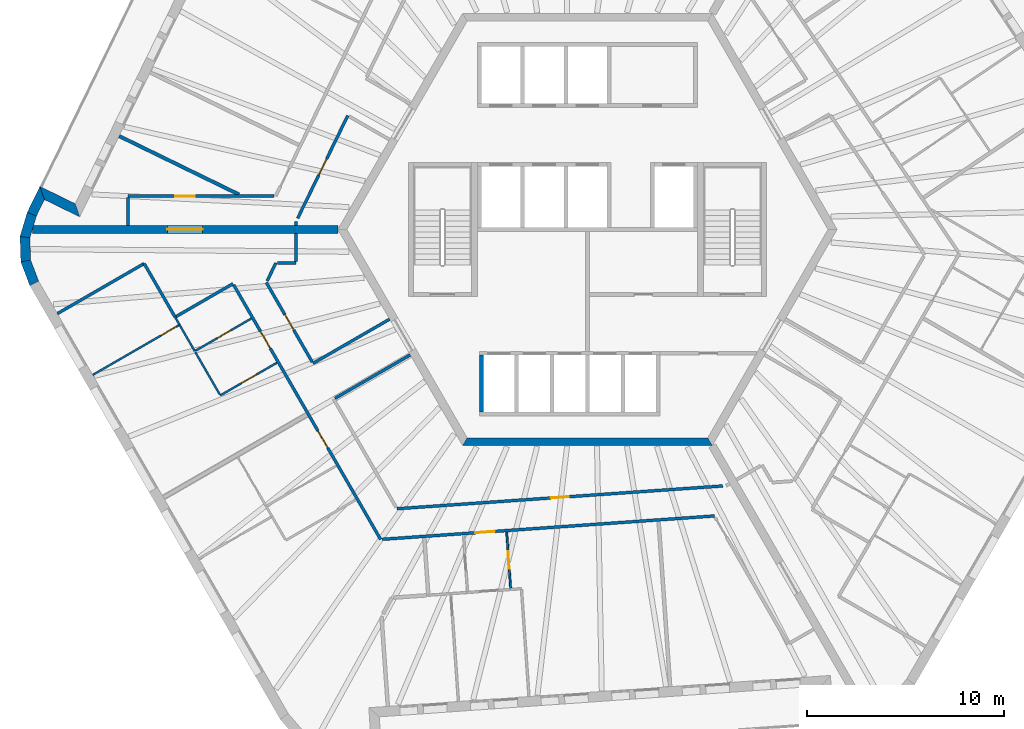
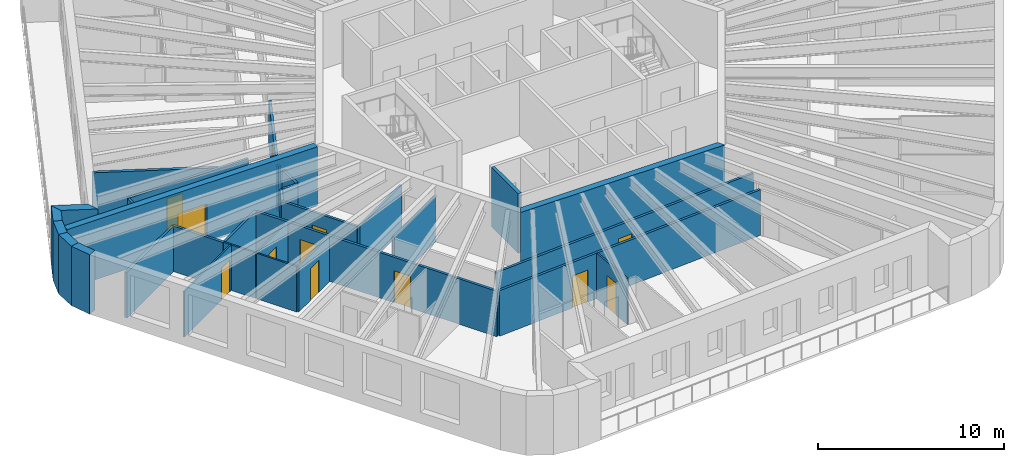
# One storey, part 4 of 12: 32 walls, 12 doors, 12 openings.
"""IFC4 building model written with IfcOpenShell, lengths in metres."""

import ifcopenshell
import ifcopenshell.guid

model = None  # the IFC model being written
_history = None  # IfcOwnerHistory: only IFC2X3 demands one
_inside = {}  # id of a spatial element -> (the spatial element, [elements in it])
_under = {}  # id of a project, library or spatial element -> (it, [spatial elements below it])
_declared = {}  # id of a project -> (the project, [libraries it declares])
_typed = {}  # id of a type object -> (the type object, [elements of that type])
_made_of = {}  # id of a material, layer set ... -> (it, [elements and type objects made of it])


def new_model(schema):
    """Start an empty IFC model of exactly this schema.

    Asked for "IFC4X3", IfcOpenShell would pick the latest addendum, in which some entities
    have other attributes; the version numbers below select the first issue.
    IFC2X3 requires an IfcOwnerHistory on every rooted entity: one is made here for all.
    """
    global model, _history
    if schema == "IFC4X3":
        model = ifcopenshell.file(schema_version=(4, 3, 0, 0))
    else:
        model = ifcopenshell.file(schema=schema)
    _inside.clear()
    _under.clear()
    _declared.clear()
    _typed.clear()
    _made_of.clear()
    _history = None
    if model.schema == "IFC2X3":
        org = make("IfcOrganization", Name="unknown")
        user = make(
            "IfcPersonAndOrganization",
            ThePerson=make("IfcPerson", FamilyName="unknown"),
            TheOrganization=org,
        )
        app = make(
            "IfcApplication",
            ApplicationDeveloper=org,
            Version="unknown",
            ApplicationFullName="unknown",
            ApplicationIdentifier="unknown",
        )
        _history = make(
            "IfcOwnerHistory",
            OwningUser=user,
            OwningApplication=app,
            ChangeAction="ADDED",
            CreationDate=0,
        )
    return model


def make(cls, **values):
    """One entity of the class cls with the attributes given. An attribute that is None is left unset."""
    return model.create_entity(
        cls, **{name: value for name, value in values.items() if value is not None}
    )


def rooted(cls, **values):
    """An entity with a GlobalId (a new one), such as an element, a storey or a relation."""
    return make(cls, GlobalId=ifcopenshell.guid.new(), OwnerHistory=_history, **values)


def si_unit(unit_type, name, prefix=None):
    """IfcSIUnit, for example si_unit("LENGTHUNIT", "METRE", prefix="MILLI")."""
    return make("IfcSIUnit", UnitType=unit_type, Prefix=prefix, Name=name)


def assignment(units):
    """IfcUnitAssignment: the units of a project."""
    return None if units is None else make("IfcUnitAssignment", Units=units)


def point(xyz):
    """IfcCartesianPoint."""
    return None if xyz is None else make("IfcCartesianPoint", Coordinates=xyz)


def direction(xyz):
    """IfcDirection."""
    return None if xyz is None else make("IfcDirection", DirectionRatios=xyz)


def frame(location, z_axis=None, x_axis=None):
    """IfcAxis2Placement3D, a coordinate frame: its origin and axes. An axis left out is left unset."""
    return make(
        "IfcAxis2Placement3D",
        Location=point(location),
        Axis=direction(z_axis),
        RefDirection=direction(x_axis),
    )


def frame_2d(location, x_axis=None):
    """IfcAxis2Placement2D, a coordinate frame in the plane: its origin and x axis."""
    return make(
        "IfcAxis2Placement2D", Location=point(location), RefDirection=direction(x_axis)
    )


def origin():
    """The frame at (0, 0, 0) with its axes left unset."""
    return frame((0.0, 0.0, 0.0))


def place(relative_to, where):
    """IfcLocalPlacement: puts the frame where relative to a parent placement (None: the world)."""
    return make(
        "IfcLocalPlacement", PlacementRelTo=relative_to, RelativePlacement=where
    )


def context(
    kind, dimensions, precision=None, world=None, true_north=None, identifier=None
):
    """IfcGeometricRepresentationContext, for example the 3D "Model" context."""
    return make(
        "IfcGeometricRepresentationContext",
        ContextIdentifier=identifier,
        ContextType=kind,
        CoordinateSpaceDimension=dimensions,
        Precision=precision,
        WorldCoordinateSystem=world,
        TrueNorth=true_north,
    )


def subcontext(parent, identifier, kind, view, scale=None):
    """IfcGeometricRepresentationSubContext, for example "Body" below "Model"."""
    return make(
        "IfcGeometricRepresentationSubContext",
        ContextIdentifier=identifier,
        ContextType=kind,
        ParentContext=parent,
        TargetScale=scale,
        TargetView=view,
    )


def project(units=None, contexts=None):
    """IfcProject with its units and contexts."""
    return rooted(
        "IfcProject",
        Name="project",
        RepresentationContexts=contexts,
        UnitsInContext=assignment(units),
    )


def spatial(cls, under=None, at=None, **own):
    """A site, building, storey or space (cls), placed at a placement, below another one or the project."""
    s = rooted(cls, ObjectPlacement=at, **own)
    if under is not None:
        _under.setdefault(under.id(), (under, []))[1].append(s)
    return s


def polyline(points):
    """IfcPolyline through the points."""
    return make("IfcPolyline", Points=[point(p) for p in points])


def profile(cls, at=None, kind="AREA", **sizes):
    """A parametric profile (cls). Its sizes go by their IFC names, for example OverallWidth=200.0."""
    return make(cls, ProfileType=kind, Position=at, **sizes)


def rectangle(**sizes):
    """IfcRectangleProfileDef."""
    return profile("IfcRectangleProfileDef", **sizes)


def outline(outer, holes=None, kind="AREA"):
    """IfcArbitraryClosedProfileDef: a profile drawn as a closed curve; with holes, ...WithVoids."""
    if holes is None:
        return make("IfcArbitraryClosedProfileDef", ProfileType=kind, OuterCurve=outer)
    return make(
        "IfcArbitraryProfileDefWithVoids",
        ProfileType=kind,
        OuterCurve=outer,
        InnerCurves=holes,
    )


def extrude(swept, where, along, depth):
    """IfcExtrudedAreaSolid: the profile swept, set in the frame where, extruded along a direction by depth."""
    return make(
        "IfcExtrudedAreaSolid",
        SweptArea=swept,
        Position=where,
        ExtrudedDirection=direction(along),
        Depth=depth,
    )


def shape(context_of_items, identifier, shape_type, items):
    """IfcShapeRepresentation: the items that make up one representation, for example the "Body"."""
    return make(
        "IfcShapeRepresentation",
        ContextOfItems=context_of_items,
        RepresentationIdentifier=identifier,
        RepresentationType=shape_type,
        Items=items,
    )


def material(Name=None, Category=None):
    """IfcMaterial."""
    return make("IfcMaterial", Name=Name, Category=Category)


def layer(
    of_material, thickness, ventilated=None, Name=None, Category=None, Priority=None
):
    """IfcMaterialLayer: one layer of a wall or slab, of a material (None: an air gap)."""
    return make(
        "IfcMaterialLayer",
        Material=of_material,
        LayerThickness=thickness,
        IsVentilated=ventilated,
        Name=Name,
        Category=Category,
        Priority=Priority,
    )


def layer_set(layers, Name=None):
    """IfcMaterialLayerSet."""
    return make("IfcMaterialLayerSet", MaterialLayers=layers, LayerSetName=Name)


def made_of(thing, what):
    """Note that an element or type object is made of a material, layer set ...; save() writes the relation."""
    if what is not None:
        _made_of.setdefault(what.id(), (what, []))[1].append(thing)
    return thing


def type_object(cls, material=None, **own):
    """A type object (cls), such as IfcWallType, which elements share."""
    return made_of(rooted(cls, **own), material)


def element(
    cls,
    number,
    at=None,
    inside=None,
    cuts=None,
    type_object=None,
    material=None,
    context=None,
    identifier="Body",
    shape_type=None,
    held_by="IfcProductDefinitionShape",
    body=None,
    shapes=None,
    **own,
):
    """One element of the class cls, such as IfcWall. Its Tag is "e" and its number.

    at: its placement. inside: the storey or other place that contains it. cuts: it is an
    opening in that element (IfcRelVoidsElement). A single representation is given by context,
    identifier, shape_type and body (its items); several are given by shapes. held_by: the class
    of the entity that holds the representations. save() writes the other relations.
    """
    e = rooted(cls, Tag="e%d" % number, ObjectPlacement=at, **own)
    if body is not None:
        shapes = [shape(context, identifier, shape_type, body)]
    if shapes is not None:
        e.Representation = make(held_by, Representations=shapes)
    if inside is not None:
        _inside.setdefault(inside.id(), (inside, []))[1].append(e)
    if cuts is not None:
        rooted(
            "IfcRelVoidsElement", RelatingBuildingElement=cuts, RelatedOpeningElement=e
        )
    if type_object is not None:
        _typed.setdefault(type_object.id(), (type_object, []))[1].append(e)
    return made_of(e, material)


def fill(opening, filler):
    """IfcRelFillsElement: the door or window that sits in an opening."""
    return rooted(
        "IfcRelFillsElement",
        RelatingOpeningElement=opening,
        RelatedBuildingElement=filler,
    )


def aggregate(whole, parts):
    """IfcRelAggregates: a whole, such as a stair, and the parts it consists of."""
    return rooted("IfcRelAggregates", RelatingObject=whole, RelatedObjects=parts)


def save(model, path):
    """Write the relations noted so far, then the file.

    IfcRelAggregates (storeys below a building ...), IfcRelContainedInSpatialStructure (elements
    in a storey), IfcRelDefinesByType, IfcRelAssociatesMaterial and IfcRelDeclares: one each for
    every whole, place, type object, material and project.
    """
    for whole, parts in _under.values():
        aggregate(whole, parts)
    for where, things in _inside.values():
        rooted(
            "IfcRelContainedInSpatialStructure",
            RelatedElements=things,
            RelatingStructure=where,
        )
    for kind, things in _typed.values():
        rooted("IfcRelDefinesByType", RelatedObjects=things, RelatingType=kind)
    for what, things in _made_of.values():
        rooted("IfcRelAssociatesMaterial", RelatedObjects=things, RelatingMaterial=what)
    for by, libraries in _declared.values():
        rooted("IfcRelDeclares", RelatingContext=by, RelatedDefinitions=libraries)
    model.write(path)


model = new_model("IFC4")

# Units and contexts
model_context = context("Model", 3, precision=1e-05, world=origin(), true_north=direction((0.0, 1.0)))
body_context = subcontext(model_context, "Body", "Model", "MODEL_VIEW")
ifc_project = project(units=[si_unit("LENGTHUNIT", "METRE"), si_unit("AREAUNIT", "SQUARE_METRE"), si_unit("VOLUMEUNIT", "CUBIC_METRE"), si_unit("PLANEANGLEUNIT", "RADIAN"), si_unit("MASSUNIT", "GRAM", prefix="KILO")], contexts=[model_context])

# Site, building, storey
site_placement = place(None, origin())
site = spatial("IfcSite", under=ifc_project, at=site_placement, CompositionType="ELEMENT")
building_placement = place(site_placement, origin())
building = spatial("IfcBuilding", under=site, at=building_placement, Name="Tarnside Tower", CompositionType="ELEMENT")
storey_placement = place(building_placement, frame((0.0, 0.0, 295.199951171875)))
storey = spatial("IfcBuildingStorey", under=building, at=storey_placement, Name="L71", CompositionType="ELEMENT", Elevation=295.199951171875)

# Wall
ifc_material_1 = material(Name="Gypsum board partition on steel studs", Category="steel")
ifc_layer_1 = layer(ifc_material_1, 0.10009765625)
ifc_layer_set_1 = layer_set([ifc_layer_1], Name="Bathroom wall 100")
wall_type_1 = type_object("IfcWallType", Name="Bathroom wall 100", PredefinedType="PARTITIONING", material=ifc_layer_set_1)
wall_1_placement = place(storey_placement, frame((-19.980224609375, -6.193115234375, 0.0), z_axis=(0.0, 0.0, 1.0), x_axis=(-0.500067724834, 0.865986299303, 0.0)))
element("IfcWall", 1, at=wall_1_placement, inside=storey, type_object=wall_type_1, Name="Bathroom wall 23114", PredefinedType="PARTITIONING", context=body_context, shape_type="SweptSolid", body=[
    extrude(rectangle(XDim=1.550537109375, YDim=0.10009765625, at=frame_2d((0.775390625, 0.0))), origin(), (0.0, 0.0, 1.0), 2.98779296875),
])

# Wall, opening, door
wall_2_placement = place(storey_placement, frame((-17.1005859375, -4.53076171875, 0.0), z_axis=(0.0, 0.0, 1.0), x_axis=(-0.866046559086, -0.499963356153, 0.0)))
wall_2 = element("IfcWall", 2, at=wall_2_placement, inside=storey, type_object=wall_type_1, Name="Bathroom wall 23118", PredefinedType="PARTITIONING", context=body_context, shape_type="SweptSolid", body=[
    extrude(rectangle(XDim=3.275146484375, YDim=0.10009765625, at=frame_2d((1.6376953125, 0.0))), origin(), (0.0, 0.0, 1.0), 2.98779296875),
])
opening_1_placement = place(wall_2_placement, frame((1.22509765625, 0.0, 0.0)))
opening_1 = element("IfcOpeningElement", 3, at=opening_1_placement, cuts=wall_2, Name="Opening D-B1", PredefinedType="OPENING", context=body_context, shape_type="SweptSolid", body=[
    extrude(rectangle(XDim=0.800048828125, YDim=2.10009765625, at=frame_2d((0.39990234375, 1.050048828125))), frame((0.0, 0.06005859375, 0.0), z_axis=(0.0, -1.0, 0.0), x_axis=(1.0, 0.0, 0.0)), (0.0, 0.0, 1.0), 0.1201171875),
])
ifc_material_2 = material(Name="Timber door leaf", Category="wood")
door_type_1 = type_object("IfcDoorType", Name="Bathroom door 800", OperationType="NOTDEFINED", PredefinedType="DOOR", material=ifc_material_2)
door_1_placement = place(opening_1_placement, origin())
door_1 = element("IfcDoor", 4, at=door_1_placement, inside=storey, type_object=door_type_1, Name="Bathroom door 23023", OperationType="SINGLE_SWING_RIGHT", OverallHeight=2.10009765625, OverallWidth=0.800048828125, PredefinedType="DOOR", context=body_context, shape_type="SweptSolid", body=[
    extrude(rectangle(XDim=0.800048828125, YDim=2.10009765625, at=frame_2d((0.39990234375, 1.050048828125))), frame((0.0, 0.02490234375, 0.0), z_axis=(0.0, -1.0, 0.0), x_axis=(1.0, 0.0, 0.0)), (0.0, 0.0, 1.0), 0.050048828125),
])
fill(opening_1, door_1)

# Walls
wall_3_placement = place(storey_placement, frame((-20.981201171875, -4.45947265625, 0.0), z_axis=(0.0, 0.0, 1.0), x_axis=(0.499846793097, -0.866113839764, 0.0)))
element("IfcWall", 5, at=wall_3_placement, inside=storey, type_object=wall_type_1, Name="Bathroom wall 23119", PredefinedType="PARTITIONING", context=body_context, shape_type="SweptSolid", body=[
    extrude(rectangle(XDim=0.453369140625, YDim=0.10009765625, at=frame_2d((0.2265625, 0.0))), origin(), (0.0, 0.0, 1.0), 2.98779296875),
])
ifc_material_3 = material(Name="Concrete C60/75", Category="concrete")
ifc_layer_2 = layer(ifc_material_3, 0.39990234375)
ifc_layer_set_2 = layer_set([ifc_layer_2], Name="Core wall Z3 400 C60/75")
wall_type_2 = type_object("IfcWallType", Name="Core wall Z3 400 C60/75", PredefinedType="SHEAR", material=ifc_layer_set_2)
wall_4_placement = place(storey_placement, frame((-6.2353515625, -10.800048828125, -0.14990234375), z_axis=(0.0, 0.0, 1.0), x_axis=(1.0, 0.0, 0.0)))
element("IfcWall", 6, at=wall_4_placement, inside=storey, type_object=wall_type_2, Name="L71 core wall face 4", PredefinedType="SHEAR", context=body_context, shape_type="SweptSolid", body=[
    extrude(outline(polyline([(-0.115478515625, -0.199951171875), (12.586181640625, -0.199951171875), (12.355224609375, 0.199951171875), (0.115478515625, 0.199951171875), (-0.115478515625, -0.199951171875)])), origin(), (0.0, 0.0, 1.0), 3.89990234375),
])

# Wall, opening, door
wall_5_placement = place(storey_placement, frame((-12.70166015625, 0.0, -0.14990234375), z_axis=(0.0, 0.0, 1.0), x_axis=(-1.0, 0.0, 0.0)))
wall_5 = element("IfcWall", 7, at=wall_5_placement, inside=storey, type_object=wall_type_2, Name="L71 spine wall 2", PredefinedType="SHEAR", context=body_context, shape_type="SweptSolid", body=[
    extrude(rectangle(XDim=15.54443359375, YDim=0.39990234375, at=frame_2d((7.772216796875, 0.0))), origin(), (0.0, 0.0, 1.0), 3.89990234375),
])
opening_2_placement = place(wall_5_placement, frame((6.872314453125, 0.0, 0.14990234375)))
opening_2 = element("IfcOpeningElement", 8, at=opening_2_placement, cuts=wall_5, Name="Opening CD-SPN", PredefinedType="OPENING", context=body_context, shape_type="SweptSolid", body=[
    extrude(rectangle(XDim=1.800048828125, YDim=2.39990234375, at=frame_2d((0.89990234375, 1.199951171875))), frame((0.0, 0.2099609375, 0.0), z_axis=(0.0, -1.0, 0.0), x_axis=(1.0, 0.0, 0.0)), (0.0, 0.0, 1.0), 0.419921875),
])
ifc_material_4 = material(Name="Steel fire door", Category="steel")
door_type_2 = type_object("IfcDoorType", Name="Spine passage double door FD60 1800x2400", OperationType="NOTDEFINED", PredefinedType="DOOR", material=ifc_material_4)
door_2_placement = place(opening_2_placement, origin())
door_2 = element("IfcDoor", 9, at=door_2_placement, inside=storey, type_object=door_type_2, Name="L71 spine passage door 2", OperationType="DOUBLE_DOOR_SINGLE_SWING", OverallHeight=2.39990234375, OverallWidth=1.800048828125, PredefinedType="DOOR", context=body_context, shape_type="SweptSolid", body=[
    extrude(rectangle(XDim=1.800048828125, YDim=2.39990234375, at=frame_2d((0.89990234375, 1.199951171875))), frame((0.0, 0.02490234375, 0.0), z_axis=(0.0, -1.0, 0.0), x_axis=(1.0, 0.0, 0.0)), (0.0, 0.0, 1.0), 0.050048828125),
])
fill(opening_2, door_2)

ifc_layer_3 = layer(ifc_material_1, 0.14990234375)
ifc_layer_set_3 = layer_set([ifc_layer_3], Name="Corridor wall 150 EI 60")
wall_type_3 = type_object("IfcWallType", Name="Corridor wall 150 EI 60", PredefinedType="PARTITIONING", material=ifc_layer_set_3)
wall_6_placement = place(storey_placement, frame((-15.943359375, 1.699951171875, 0.0), z_axis=(0.0, 0.0, 1.0), x_axis=(-1.0, 0.0, 0.0)))
wall_6 = element("IfcWall", 10, at=wall_6_placement, inside=storey, type_object=wall_type_3, Name="Corridor wall 23016", PredefinedType="PARTITIONING", context=body_context, shape_type="SweptSolid", body=[
    extrude(rectangle(XDim=7.4306640625, YDim=0.14990234375, at=frame_2d((3.71533203125, 0.0))), origin(), (0.0, 0.0, 1.0), 2.98779296875),
])
opening_3_placement = place(wall_6_placement, frame((4.02978515625, 0.0, 0.0)))
opening_3 = element("IfcOpeningElement", 11, at=opening_3_placement, cuts=wall_6, Name="Opening D-E1", PredefinedType="OPENING", context=body_context, shape_type="SweptSolid", body=[
    extrude(rectangle(XDim=1.0, YDim=2.10009765625, at=frame_2d((0.5, 1.050048828125))), frame((0.0, 0.0849609375, 0.0), z_axis=(0.0, -1.0, 0.0), x_axis=(1.0, 0.0, 0.0)), (0.0, 0.0, 1.0), 0.169921875),
])
door_type_3 = type_object("IfcDoorType", Name="Unit entrance door 1000 FD30S", OperationType="NOTDEFINED", PredefinedType="DOOR", material=ifc_material_2)
door_3_placement = place(opening_3_placement, origin())
door_3 = element("IfcDoor", 12, at=door_3_placement, inside=storey, type_object=door_type_3, Name="Unit door 23021", OperationType="SINGLE_SWING_LEFT", OverallHeight=2.10009765625, OverallWidth=1.0, PredefinedType="DOOR", context=body_context, shape_type="SweptSolid", body=[
    extrude(rectangle(XDim=1.0, YDim=2.10009765625, at=frame_2d((0.5, 1.050048828125))), frame((0.0, 0.02490234375, 0.0), z_axis=(0.0, -1.0, 0.0), x_axis=(1.0, 0.0, 0.0)), (0.0, 0.0, 1.0), 0.050048828125),
])
fill(opening_3, door_3)

# Walls
wall_7_placement = place(storey_placement, frame((-23.3740234375, 1.625, 0.0), z_axis=(0.0, 0.0, 1.0), x_axis=(0.0, -1.0, 0.0)))
element("IfcWall", 13, at=wall_7_placement, inside=storey, type_object=wall_type_3, Name="Corridor wall 23018", PredefinedType="PARTITIONING", context=body_context, shape_type="SweptSolid", body=[
    extrude(rectangle(XDim=1.425048828125, YDim=0.14990234375, at=frame_2d((0.71240234375, 0.0))), origin(), (0.0, 0.0, 1.0), 2.98779296875),
])
wall_8_placement = place(storey_placement, frame((-14.820068359375, 0.199951171875, 0.0), z_axis=(0.0, 0.0, 1.0), x_axis=(0.0, 1.0, 0.0)))
element("IfcWall", 14, at=wall_8_placement, inside=storey, type_object=wall_type_3, Name="Corridor wall 23025", PredefinedType="PARTITIONING", context=body_context, shape_type="SweptSolid", body=[
    extrude(rectangle(XDim=0.210205078125, YDim=0.14990234375, at=frame_2d((0.10498046875, 0.0))), origin(), (0.0, 0.0, 1.0), 2.98779296875),
])

# Wall, opening, door
wall_9_placement = place(storey_placement, frame((-14.7451171875, 0.563720703125, 0.0), z_axis=(0.0, 0.0, 1.0), x_axis=(0.438348416625, 0.898805132185, 0.0)))
wall_9 = element("IfcWall", 15, at=wall_9_placement, inside=storey, type_object=wall_type_3, Name="Corridor wall 23026", PredefinedType="PARTITIONING", context=body_context, shape_type="SweptSolid", body=[
    extrude(rectangle(XDim=5.819580078125, YDim=0.14990234375, at=frame_2d((2.90966796875, 0.0))), origin(), (0.0, 0.0, 1.0), 2.98779296875),
])
opening_4_placement = place(wall_9_placement, frame((2.459716796875, 0.0, 0.0)))
opening_4 = element("IfcOpeningElement", 16, at=opening_4_placement, cuts=wall_9, Name="Opening D-S1", PredefinedType="OPENING", context=body_context, shape_type="SweptSolid", body=[
    extrude(rectangle(XDim=0.89990234375, YDim=2.10009765625, at=frame_2d((0.449951171875, 1.050048828125))), frame((0.0, 0.0849609375, 0.0), z_axis=(0.0, -1.0, 0.0), x_axis=(1.0, 0.0, 0.0)), (0.0, 0.0, 1.0), 0.169921875),
])
door_type_4 = type_object("IfcDoorType", Name="Service room door 900 FD30S", OperationType="NOTDEFINED", PredefinedType="DOOR", material=ifc_material_2)
door_4_placement = place(opening_4_placement, origin())
door_4 = element("IfcDoor", 17, at=door_4_placement, inside=storey, type_object=door_type_4, Name="Service door 23059", OperationType="SINGLE_SWING_RIGHT", OverallHeight=2.10009765625, OverallWidth=0.89990234375, PredefinedType="DOOR", context=body_context, shape_type="SweptSolid", body=[
    extrude(rectangle(XDim=0.89990234375, YDim=2.10009765625, at=frame_2d((0.449951171875, 1.050048828125))), frame((0.0, 0.02490234375, 0.0), z_axis=(0.0, -1.0, 0.0), x_axis=(1.0, 0.0, 0.0)), (0.0, 0.0, 1.0), 0.050048828125),
])
fill(opening_4, door_4)

# Wall, openings, doors
wall_10_placement = place(storey_placement, frame((-17.998291015625, -2.826171875, 0.0), z_axis=(0.0, 0.0, 1.0), x_axis=(0.500003306199, -0.866023494941, 0.0)))
wall_10 = element("IfcWall", 18, at=wall_10_placement, inside=storey, type_object=wall_type_3, Name="Corridor wall 23028", PredefinedType="PARTITIONING", context=body_context, shape_type="SweptSolid", body=[
    extrude(rectangle(XDim=14.94921875, YDim=0.14990234375, at=frame_2d((7.474609375, 0.0))), origin(), (0.0, 0.0, 1.0), 2.98779296875),
])
opening_5_placement = place(wall_10_placement, frame((2.72509765625, 0.0, 0.0)))
opening_5 = element("IfcOpeningElement", 19, at=opening_5_placement, cuts=wall_10, Name="Opening D-E1", PredefinedType="OPENING", context=body_context, shape_type="SweptSolid", body=[
    extrude(rectangle(XDim=1.0, YDim=2.10009765625, at=frame_2d((0.5, 1.050048828125))), frame((0.0, 0.0849609375, 0.0), z_axis=(0.0, -1.0, 0.0), x_axis=(1.0, 0.0, 0.0)), (0.0, 0.0, 1.0), 0.169921875),
])
opening_6_placement = place(wall_10_placement, frame((8.576416015625, 0.0, 0.0)))
opening_6 = element("IfcOpeningElement", 20, at=opening_6_placement, cuts=wall_10, Name="Opening D-E1", PredefinedType="OPENING", context=body_context, shape_type="SweptSolid", body=[
    extrude(rectangle(XDim=1.0, YDim=2.10009765625, at=frame_2d((0.5, 1.050048828125))), frame((0.0, 0.0849609375, 0.0), z_axis=(0.0, -1.0, 0.0), x_axis=(1.0, 0.0, 0.0)), (0.0, 0.0, 1.0), 0.169921875),
])
door_5_placement = place(opening_5_placement, origin())
door_5 = element("IfcDoor", 21, at=door_5_placement, inside=storey, type_object=door_type_3, Name="Unit door 23022", OperationType="SINGLE_SWING_RIGHT", OverallHeight=2.10009765625, OverallWidth=1.0, PredefinedType="DOOR", context=body_context, shape_type="SweptSolid", body=[
    extrude(rectangle(XDim=1.0, YDim=2.10009765625, at=frame_2d((0.5, 1.050048828125))), frame((0.0, 0.02490234375, 0.0), z_axis=(0.0, -1.0, 0.0), x_axis=(1.0, 0.0, 0.0)), (0.0, 0.0, 1.0), 0.050048828125),
])
fill(opening_5, door_5)
door_6_placement = place(opening_6_placement, origin())
door_6 = element("IfcDoor", 22, at=door_6_placement, inside=storey, type_object=door_type_3, Name="Unit door 23026", OperationType="SINGLE_SWING_RIGHT", OverallHeight=2.10009765625, OverallWidth=1.0, PredefinedType="DOOR", context=body_context, shape_type="SweptSolid", body=[
    extrude(rectangle(XDim=1.0, YDim=2.10009765625, at=frame_2d((0.5, 1.050048828125))), frame((0.0, 0.02490234375, 0.0), z_axis=(0.0, -1.0, 0.0), x_axis=(1.0, 0.0, 0.0)), (0.0, 0.0, 1.0), 0.050048828125),
])
fill(opening_6, door_6)

# Walls
wall_11_placement = place(storey_placement, frame((-20.980224609375, -4.461181640625, 0.0), z_axis=(0.0, 0.0, 1.0), x_axis=(0.866038511948, 0.499977295307, 0.0)))
element("IfcWall", 23, at=wall_11_placement, inside=storey, type_object=wall_type_3, Name="Corridor wall 23030", PredefinedType="PARTITIONING", context=body_context, shape_type="SweptSolid", body=[
    extrude(rectangle(XDim=3.400146484375, YDim=0.14990234375, at=frame_2d((1.7001953125, 0.0))), origin(), (0.0, 0.0, 1.0), 2.98779296875),
])
wall_12_placement = place(storey_placement, frame((-26.97119140625, -4.284423828125, 0.0), z_axis=(0.0, 0.0, 1.0), x_axis=(0.866024511559, 0.500001545377, 0.0)))
element("IfcWall", 24, at=wall_12_placement, inside=storey, type_object=wall_type_3, Name="Corridor wall 23032", PredefinedType="PARTITIONING", context=body_context, shape_type="SweptSolid", body=[
    extrude(rectangle(XDim=5.0986328125, YDim=0.14990234375, at=frame_2d((2.54931640625, 0.0))), origin(), (0.0, 0.0, 1.0), 2.98779296875),
])
wall_13_placement = place(storey_placement, frame((-22.553955078125, -1.735595703125, 0.0), z_axis=(0.0, 0.0, 1.0), x_axis=(0.50003099832, -0.866007506156, 0.0)))
element("IfcWall", 25, at=wall_13_placement, inside=storey, type_object=wall_type_3, Name="Corridor wall 23033", PredefinedType="PARTITIONING", context=body_context, shape_type="SweptSolid", body=[
    extrude(rectangle(XDim=3.150634765625, YDim=0.14990234375, at=frame_2d((1.5751953125, 0.0))), origin(), (0.0, 0.0, 1.0), 2.98779296875),
])

# Wall, opening, door
wall_14_placement = place(storey_placement, frame((-10.4404296875, -15.7666015625, 0.0), z_axis=(0.0, 0.0, 1.0), x_axis=(0.997534721961, 0.070174628483, 0.0)))
wall_14 = element("IfcWall", 26, at=wall_14_placement, inside=storey, type_object=wall_type_3, Name="Corridor wall 23035", PredefinedType="PARTITIONING", context=body_context, shape_type="SweptSolid", body=[
    extrude(rectangle(XDim=16.939453125, YDim=0.14990234375, at=frame_2d((8.4697265625, 0.0))), origin(), (0.0, 0.0, 1.0), 2.98779296875),
])
opening_7_placement = place(wall_14_placement, frame((4.74169921875, 0.0, 0.0)))
opening_7 = element("IfcOpeningElement", 27, at=opening_7_placement, cuts=wall_14, Name="Opening D-E1", PredefinedType="OPENING", context=body_context, shape_type="SweptSolid", body=[
    extrude(rectangle(XDim=1.0, YDim=2.10009765625, at=frame_2d((0.5, 1.050048828125))), frame((0.0, 0.0849609375, 0.0), z_axis=(0.0, -1.0, 0.0), x_axis=(1.0, 0.0, 0.0)), (0.0, 0.0, 1.0), 0.169921875),
])
door_7_placement = place(opening_7_placement, origin())
door_7 = element("IfcDoor", 28, at=door_7_placement, inside=storey, type_object=door_type_3, Name="Unit door 23031", OperationType="SINGLE_SWING_LEFT", OverallHeight=2.10009765625, OverallWidth=1.0, PredefinedType="DOOR", context=body_context, shape_type="SweptSolid", body=[
    extrude(rectangle(XDim=1.0, YDim=2.10009765625, at=frame_2d((0.5, 1.050048828125))), frame((0.0, 0.02490234375, 0.0), z_axis=(0.0, -1.0, 0.0), x_axis=(1.0, 0.0, 0.0)), (0.0, 0.0, 1.0), 0.050048828125),
])
fill(opening_7, door_7)

# Wall
wall_15_placement = place(storey_placement, frame((-10.065673828125, -4.565673828125, 0.0), z_axis=(0.0, 0.0, 1.0), x_axis=(-0.866031096941, -0.499990139034, 0.0)))
element("IfcWall", 29, at=wall_15_placement, inside=storey, type_object=wall_type_3, Name="Corridor wall 23044", PredefinedType="PARTITIONING", context=body_context, shape_type="SweptSolid", body=[
    extrude(rectangle(XDim=4.5, YDim=0.14990234375, at=frame_2d((2.25, 0.0))), origin(), (0.0, 0.0, 1.0), 2.98779296875),
])

# Wall, opening, door
wall_16_placement = place(storey_placement, frame((-14.000244140625, -6.750732421875, 0.0), z_axis=(0.0, 0.0, 1.0), x_axis=(-0.500008739126, 0.866020358189, 0.0)))
wall_16 = element("IfcWall", 30, at=wall_16_placement, inside=storey, type_object=wall_type_3, Name="Corridor wall 23045", PredefinedType="PARTITIONING", context=body_context, shape_type="SweptSolid", body=[
    extrude(rectangle(XDim=4.67529296875, YDim=0.14990234375, at=frame_2d((2.337646484375, 0.0))), origin(), (0.0, 0.0, 1.0), 2.98779296875),
])
opening_8_placement = place(wall_16_placement, frame((1.8876953125, 0.0, 0.0)))
opening_8 = element("IfcOpeningElement", 31, at=opening_8_placement, cuts=wall_16, Name="Opening D-S1", PredefinedType="OPENING", context=body_context, shape_type="SweptSolid", body=[
    extrude(rectangle(XDim=0.89990234375, YDim=2.10009765625, at=frame_2d((0.449951171875, 1.050048828125))), frame((0.0, 0.0849609375, 0.0), z_axis=(0.0, -1.0, 0.0), x_axis=(1.0, 0.0, 0.0)), (0.0, 0.0, 1.0), 0.169921875),
])
door_8_placement = place(opening_8_placement, origin())
door_8 = element("IfcDoor", 32, at=door_8_placement, inside=storey, type_object=door_type_4, Name="Service door 23060", OperationType="SINGLE_SWING_RIGHT", OverallHeight=2.10009765625, OverallWidth=0.89990234375, PredefinedType="DOOR", context=body_context, shape_type="SweptSolid", body=[
    extrude(rectangle(XDim=0.89990234375, YDim=2.10009765625, at=frame_2d((0.449951171875, 1.050048828125))), frame((0.0, 0.02490234375, 0.0), z_axis=(0.0, -1.0, 0.0), x_axis=(1.0, 0.0, 0.0)), (0.0, 0.0, 1.0), 0.050048828125),
])
fill(opening_8, door_8)

# Walls
wall_17_placement = place(storey_placement, frame((-16.29833984375, -2.62060546875, 0.0), z_axis=(0.0, 0.0, 1.0), x_axis=(0.438325013788, 0.898816545402, 0.0)))
element("IfcWall", 33, at=wall_17_placement, inside=storey, type_object=wall_type_3, Name="Corridor wall 23046", PredefinedType="PARTITIONING", context=body_context, shape_type="SweptSolid", body=[
    extrude(rectangle(XDim=1.0244140625, YDim=0.14990234375, at=frame_2d((0.51220703125, 0.0))), origin(), (0.0, 0.0, 1.0), 2.98779296875),
])
wall_18_placement = place(storey_placement, frame((-15.765869140625, -1.699951171875, 0.0), z_axis=(0.0, 0.0, 1.0), x_axis=(1.0, 0.0, 0.0)))
element("IfcWall", 34, at=wall_18_placement, inside=storey, type_object=wall_type_3, Name="Corridor wall 23047", PredefinedType="PARTITIONING", context=body_context, shape_type="SweptSolid", body=[
    extrude(rectangle(XDim=0.94580078125, YDim=0.14990234375, at=frame_2d((0.472900390625, 0.0))), origin(), (0.0, 0.0, 1.0), 2.98779296875),
])
wall_19_placement = place(storey_placement, frame((-14.820068359375, -1.625, 0.0), z_axis=(0.0, 0.0, 1.0), x_axis=(0.0, 1.0, 0.0)))
element("IfcWall", 35, at=wall_19_placement, inside=storey, type_object=wall_type_3, Name="Corridor wall 23048", PredefinedType="PARTITIONING", context=body_context, shape_type="SweptSolid", body=[
    extrude(rectangle(XDim=1.425048828125, YDim=0.14990234375, at=frame_2d((0.71240234375, 0.0))), origin(), (0.0, 0.0, 1.0), 2.98779296875),
])

# Wall, opening, door
wall_20_placement = place(storey_placement, frame((6.88427734375, -13.051513671875, 0.0), z_axis=(0.0, 0.0, 1.0), x_axis=(-0.997564224443, -0.069753982764, 0.0)))
wall_20 = element("IfcWall", 36, at=wall_20_placement, inside=storey, type_object=wall_type_3, Name="Corridor wall 23050", PredefinedType="PARTITIONING", context=body_context, shape_type="SweptSolid", body=[
    extrude(rectangle(XDim=16.6181640625, YDim=0.14990234375, at=frame_2d((8.30908203125, 0.0))), origin(), (0.0, 0.0, 1.0), 2.98779296875),
])
opening_9_placement = place(wall_20_placement, frame((7.85888671875, 0.0, 0.0)))
opening_9 = element("IfcOpeningElement", 37, at=opening_9_placement, cuts=wall_20, Name="Opening D-S1", PredefinedType="OPENING", context=body_context, shape_type="SweptSolid", body=[
    extrude(rectangle(XDim=0.89990234375, YDim=2.10009765625, at=frame_2d((0.449951171875, 1.050048828125))), frame((0.0, 0.0849609375, 0.0), z_axis=(0.0, -1.0, 0.0), x_axis=(1.0, 0.0, 0.0)), (0.0, 0.0, 1.0), 0.169921875),
])
door_9_placement = place(opening_9_placement, origin())
door_9 = element("IfcDoor", 38, at=door_9_placement, inside=storey, type_object=door_type_4, Name="Service door 23061", OperationType="SINGLE_SWING_RIGHT", OverallHeight=2.10009765625, OverallWidth=0.89990234375, PredefinedType="DOOR", context=body_context, shape_type="SweptSolid", body=[
    extrude(rectangle(XDim=0.89990234375, YDim=2.10009765625, at=frame_2d((0.449951171875, 1.050048828125))), frame((0.0, 0.02490234375, 0.0), z_axis=(0.0, -1.0, 0.0), x_axis=(1.0, 0.0, 0.0)), (0.0, 0.0, 1.0), 0.050048828125),
])
fill(opening_9, door_9)

# Walls
wall_21_placement = place(storey_placement, frame((-12.847900390625, -8.596923828125, 0.0), z_axis=(0.0, 0.0, 1.0), x_axis=(0.866017452598, 0.500013771606, 0.0)))
element("IfcWall", 39, at=wall_21_placement, inside=storey, type_object=wall_type_3, Name="Corridor wall 23052", PredefinedType="PARTITIONING", context=body_context, shape_type="SweptSolid", body=[
    extrude(rectangle(XDim=4.42529296875, YDim=0.14990234375, at=frame_2d((2.212646484375, 0.0))), origin(), (0.0, 0.0, 1.0), 2.98779296875),
])
ifc_layer_4 = layer(ifc_material_1, 0.179931640625)
ifc_layer_set_4 = layer_set([ifc_layer_4], Name="Demising wall 180 EI 60")
wall_type_4 = type_object("IfcWallType", Name="Demising wall 180 EI 60", PredefinedType="PARTITIONING", material=ifc_layer_set_4)
wall_22_placement = place(storey_placement, frame((-23.82861328125, 4.75146484375, 0.0), z_axis=(0.0, 0.0, 1.0), x_axis=(0.898785032636, -0.438389627056, 0.0)))
element("IfcWall", 40, at=wall_22_placement, inside=storey, type_object=wall_type_4, Name="Demising wall 23111", PredefinedType="PARTITIONING", context=body_context, shape_type="SweptSolid", body=[
    extrude(rectangle(XDim=6.789794921875, YDim=0.179931640625, at=frame_2d((3.39501953125, 0.0))), origin(), (0.0, 0.0, 1.0), 2.98779296875),
])
ifc_material_5 = material(Name="Concrete C40/50", Category="concrete")
ifc_layer_5 = layer(ifc_material_5, 0.199951171875)
ifc_layer_set_5 = layer_set([ifc_layer_5], Name="Lift shaft wall 200 C40/50")
wall_type_5 = type_object("IfcWallType", Name="Lift shaft wall 200 C40/50", PredefinedType="SHEAR", material=ifc_layer_set_5)
wall_23_placement = place(storey_placement, frame((-5.39990234375, -9.300048828125, -0.25), z_axis=(0.0, 0.0, 1.0), x_axis=(0.0, 1.0, 0.0)))
element("IfcWall", 41, at=wall_23_placement, inside=storey, type_object=wall_type_5, Name="L71 lift shaft partition R41", PredefinedType="SHEAR", context=body_context, shape_type="SweptSolid", body=[
    extrude(rectangle(XDim=2.900146484375, YDim=0.199951171875, at=frame_2d((1.4501953125, 0.0))), origin(), (0.0, 0.0, 1.0), 3.900146484375),
])
ifc_material_6 = material(Name="Dark zinc cladding")
ifc_layer_6 = layer(ifc_material_6, 0.10205078125)
ifc_material_7 = material(Name="Concrete C60/75 precast", Category="concrete")
ifc_layer_7 = layer(ifc_material_7, 0.298095703125)
ifc_material_8 = material(Name="Mineral wool insulation")
ifc_layer_8 = layer(ifc_material_8, 0.10009765625)
ifc_layer_set_6 = layer_set([ifc_layer_6, ifc_layer_7, ifc_layer_8], Name="Loggia wall 500 zinc faced")
wall_type_6 = type_object("IfcWallType", Name="Loggia wall 500 zinc faced", PredefinedType="SOLIDWALL", material=ifc_layer_set_6)
wall_24_placement = place(storey_placement, frame((-25.9482421875, 0.97607421875, -0.14990234375), z_axis=(0.0, 0.0, 1.0), x_axis=(-0.898802465371, 0.438353884714, 0.0)))
element("IfcWall", 42, at=wall_24_placement, inside=storey, type_object=wall_type_6, Name="Tube wall L71 F2 return 07", PredefinedType="SOLIDWALL", context=body_context, shape_type="SweptSolid", body=[
    extrude(outline(polyline([(0.25, -0.25), (2.25, -0.25), (1.75, 0.25), (-0.25, 0.25), (0.25, -0.25)])), origin(), (0.0, 0.0, 1.0), 3.89990234375),
])
wall_25_placement = place(storey_placement, frame((-27.745849609375, 1.852783203125, -0.14990234375), z_axis=(0.0, 0.0, 1.0), x_axis=(-0.438319390103, -0.898819287877, 0.0)))
element("IfcWall", 43, at=wall_25_placement, inside=storey, type_object=wall_type_6, Name="Tube wall L71 F2 stub 08", PredefinedType="SOLIDWALL", context=body_context, shape_type="SweptSolid", body=[
    extrude(outline(polyline([(-0.25, -0.25), (1.22021484375, -0.25), (1.17919921875, 0.25), (0.25, 0.25), (-0.25, -0.25)])), origin(), (0.0, 0.0, 1.0), 3.89990234375),
])

# Wall, opening, door
ifc_layer_9 = layer(ifc_material_1, 0.10009765625)
ifc_layer_set_7 = layer_set([ifc_layer_9], Name="Partition 100")
wall_type_7 = type_object("IfcWallType", Name="Partition 100", PredefinedType="PARTITIONING", material=ifc_layer_set_7)
wall_26_placement = place(storey_placement, frame((-15.80078125, -6.782470703125, 0.0), z_axis=(0.0, 0.0, 1.0), x_axis=(-0.866033959199, -0.499985181294, 0.0)))
wall_26 = element("IfcWall", 44, at=wall_26_placement, inside=storey, type_object=wall_type_7, Name="Partition wall 23112", PredefinedType="PARTITIONING", context=body_context, shape_type="SweptSolid", body=[
    extrude(rectangle(XDim=3.32470703125, YDim=0.10009765625, at=frame_2d((1.662353515625, 0.0))), origin(), (0.0, 0.0, 1.0), 2.98779296875),
])
opening_10_placement = place(wall_26_placement, frame((1.175048828125, 0.0, 0.0)))
opening_10 = element("IfcOpeningElement", 45, at=opening_10_placement, cuts=wall_26, Name="Opening D-I1", PredefinedType="OPENING", context=body_context, shape_type="SweptSolid", body=[
    extrude(rectangle(XDim=0.89990234375, YDim=2.10009765625, at=frame_2d((0.449951171875, 1.050048828125))), frame((0.0, 0.06005859375, 0.0), z_axis=(0.0, -1.0, 0.0), x_axis=(1.0, 0.0, 0.0)), (0.0, 0.0, 1.0), 0.1201171875),
])
door_type_5 = type_object("IfcDoorType", Name="Internal door 900", OperationType="NOTDEFINED", PredefinedType="DOOR", material=ifc_material_2)
door_10_placement = place(opening_10_placement, origin())
door_10 = element("IfcDoor", 46, at=door_10_placement, inside=storey, type_object=door_type_5, Name="Internal door 23024", OperationType="SINGLE_SWING_RIGHT", OverallHeight=2.10009765625, OverallWidth=0.89990234375, PredefinedType="DOOR", context=body_context, shape_type="SweptSolid", body=[
    extrude(rectangle(XDim=0.89990234375, YDim=2.10009765625, at=frame_2d((0.449951171875, 1.050048828125))), frame((0.0, 0.02490234375, 0.0), z_axis=(0.0, -1.0, 0.0), x_axis=(1.0, 0.0, 0.0)), (0.0, 0.0, 1.0), 0.050048828125),
])
fill(opening_10, door_10)

# Wall
wall_27_placement = place(storey_placement, frame((-18.705322265625, -8.401611328125, 0.0), z_axis=(0.0, 0.0, 1.0), x_axis=(-0.500004234368, 0.866022959057, 0.0)))
element("IfcWall", 47, at=wall_27_placement, inside=storey, type_object=wall_type_7, Name="Partition wall 23113", PredefinedType="PARTITIONING", context=body_context, shape_type="SweptSolid", body=[
    extrude(rectangle(XDim=2.5, YDim=0.10009765625, at=frame_2d((1.25, 0.0))), origin(), (0.0, 0.0, 1.0), 2.98779296875),
])

# Wall, opening, door
wall_28_placement = place(storey_placement, frame((-20.7978515625, -4.877197265625, 0.0), z_axis=(0.0, 0.0, 1.0), x_axis=(-0.866026981659, -0.499997267031, 0.0)))
wall_28 = element("IfcWall", 48, at=wall_28_placement, inside=storey, type_object=wall_type_7, Name="Partition wall 23115", PredefinedType="PARTITIONING", context=body_context, shape_type="SweptSolid", body=[
    extrude(rectangle(XDim=5.0498046875, YDim=0.10009765625, at=frame_2d((2.52490234375, 0.0))), origin(), (0.0, 0.0, 1.0), 2.98779296875),
])
opening_11_placement = place(wall_28_placement, frame((0.14990234375, 0.0, 0.0)))
opening_11 = element("IfcOpeningElement", 49, at=opening_11_placement, cuts=wall_28, Name="Opening D-I1", PredefinedType="OPENING", context=body_context, shape_type="SweptSolid", body=[
    extrude(rectangle(XDim=0.89990234375, YDim=2.10009765625, at=frame_2d((0.449951171875, 1.050048828125))), frame((0.0, 0.06005859375, 0.0), z_axis=(0.0, -1.0, 0.0), x_axis=(1.0, 0.0, 0.0)), (0.0, 0.0, 1.0), 0.1201171875),
])
door_11_placement = place(opening_11_placement, origin())
door_11 = element("IfcDoor", 50, at=door_11_placement, inside=storey, type_object=door_type_5, Name="Internal door 23025", OperationType="SINGLE_SWING_RIGHT", OverallHeight=2.10009765625, OverallWidth=0.89990234375, PredefinedType="DOOR", context=body_context, shape_type="SweptSolid", body=[
    extrude(rectangle(XDim=0.89990234375, YDim=2.10009765625, at=frame_2d((0.449951171875, 1.050048828125))), frame((0.0, 0.02490234375, 0.0), z_axis=(0.0, -1.0, 0.0), x_axis=(1.0, 0.0, 0.0)), (0.0, 0.0, 1.0), 0.050048828125),
])
fill(opening_11, door_11)

wall_29_placement = place(storey_placement, frame((-4.10888671875, -15.399169921875, 0.0), z_axis=(0.0, 0.0, 1.0), x_axis=(0.069781781132, -0.997562280272, 0.0)))
wall_29 = element("IfcWall", 51, at=wall_29_placement, inside=storey, type_object=wall_type_7, Name="Partition wall 23130", PredefinedType="PARTITIONING", context=body_context, shape_type="SweptSolid", body=[
    extrude(rectangle(XDim=2.9248046875, YDim=0.10009765625, at=frame_2d((1.46240234375, 0.0))), origin(), (0.0, 0.0, 1.0), 2.98779296875),
])
opening_12_placement = place(wall_29_placement, frame((0.97509765625, 0.0, 0.0)))
opening_12 = element("IfcOpeningElement", 52, at=opening_12_placement, cuts=wall_29, Name="Opening D-I1", PredefinedType="OPENING", context=body_context, shape_type="SweptSolid", body=[
    extrude(rectangle(XDim=0.89990234375, YDim=2.10009765625, at=frame_2d((0.449951171875, 1.050048828125))), frame((0.0, 0.06005859375, 0.0), z_axis=(0.0, -1.0, 0.0), x_axis=(1.0, 0.0, 0.0)), (0.0, 0.0, 1.0), 0.1201171875),
])
door_12_placement = place(opening_12_placement, origin())
door_12 = element("IfcDoor", 53, at=door_12_placement, inside=storey, type_object=door_type_5, Name="Internal door 23033", OperationType="SINGLE_SWING_RIGHT", OverallHeight=2.10009765625, OverallWidth=0.89990234375, PredefinedType="DOOR", context=body_context, shape_type="SweptSolid", body=[
    extrude(rectangle(XDim=0.89990234375, YDim=2.10009765625, at=frame_2d((0.449951171875, 1.050048828125))), frame((0.0, 0.02490234375, 0.0), z_axis=(0.0, -1.0, 0.0), x_axis=(1.0, 0.0, 0.0)), (0.0, 0.0, 1.0), 0.050048828125),
])
fill(opening_12, door_12)

# Walls
ifc_material_9 = material(Name="Facing brick", Category="masonry")
ifc_layer_10 = layer(ifc_material_9, 0.10205078125)
ifc_layer_11 = layer(ifc_material_7, 0.298095703125)
ifc_layer_12 = layer(ifc_material_8, 0.10009765625)
ifc_layer_set_8 = layer_set([ifc_layer_10, ifc_layer_11, ifc_layer_12], Name="Tube wall 500 brick faced")
wall_type_8 = type_object("IfcWallType", Name="Tube wall 500 brick faced", PredefinedType="SOLIDWALL", material=ifc_layer_set_8)
wall_30_placement = place(storey_placement, frame((-28.271728515625, 0.7744140625, -0.14990234375), z_axis=(0.0, 0.0, 1.0), x_axis=(-0.286813843218, -0.957986335674, 0.0)))
element("IfcWall", 54, at=wall_30_placement, inside=storey, type_object=wall_type_8, Name="Tube wall L71 F2 chord 09", PredefinedType="SOLIDWALL", context=body_context, shape_type="SweptSolid", body=[
    extrude(outline(polyline([(-0.0205078125, -0.25), (1.25732421875, -0.25), (1.17529296875, 0.25), (0.0205078125, 0.25), (-0.0205078125, -0.25)])), origin(), (0.0, 0.0, 1.0), 3.89990234375),
])
wall_31_placement = place(storey_placement, frame((-28.62060546875, -0.390869140625, -0.14990234375), z_axis=(0.0, 0.0, 1.0), x_axis=(0.034925456137, -0.999389920158, 0.0)))
element("IfcWall", 55, at=wall_31_placement, inside=storey, type_object=wall_type_8, Name="Tube wall L71 F2 chord 10", PredefinedType="SOLIDWALL", context=body_context, shape_type="SweptSolid", body=[
    extrude(outline(polyline([(-0.041015625, -0.25), (1.25732421875, -0.25), (1.17529296875, 0.25), (0.041015625, 0.25), (-0.041015625, -0.25)])), origin(), (0.0, 0.0, 1.0), 3.89990234375),
])
wall_32_placement = place(storey_placement, frame((-28.578125, -1.6064453125, -0.14990234375), z_axis=(0.0, 0.0, 1.0), x_axis=(0.352838463023, -0.935684251771, 0.0)))
element("IfcWall", 56, at=wall_32_placement, inside=storey, type_object=wall_type_8, Name="Tube wall L71 F2 chord 11", PredefinedType="SOLIDWALL", context=body_context, shape_type="SweptSolid", body=[
    extrude(outline(polyline([(-0.041015625, -0.25), (1.23681640625, -0.25), (1.19580078125, 0.25), (0.041015625, 0.25), (-0.041015625, -0.25)])), origin(), (0.0, 0.0, 1.0), 3.89990234375),
])

save(model, "model.ifc")
